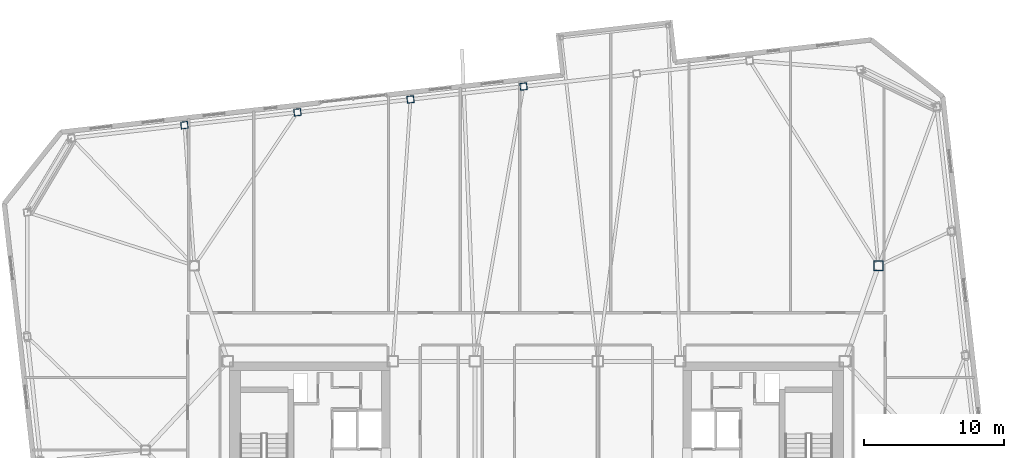
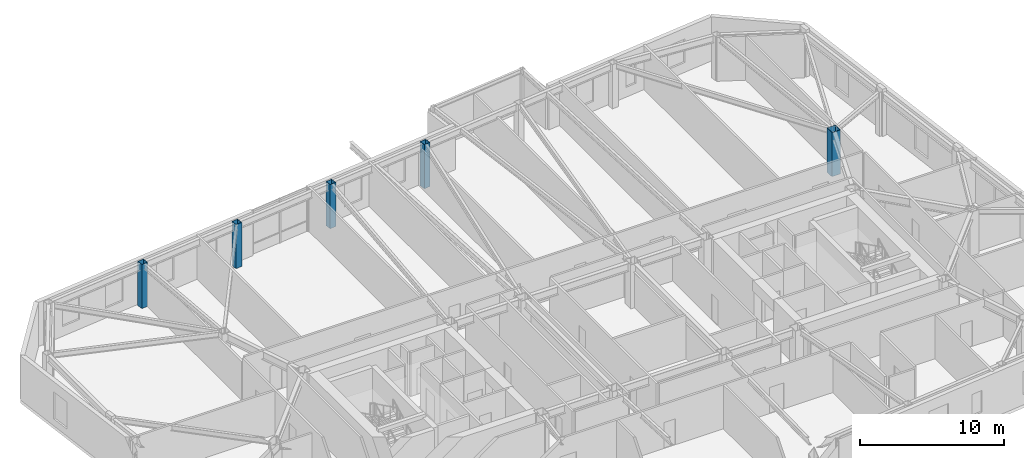
# One storey, part 2 of 21: 5 columns.
"""IFC4 building model written with IfcOpenShell, lengths in metres."""

from ifc_helpers import new_model, si_unit, direction, frame, origin, origin_2d, place, context, subcontext, project, spatial, hollow_rectangle, extrude, material, material_profile, profile_set, type_object, element, save


model = new_model("IFC4")

# Units and contexts
model_context = context("Model", 3, precision=1e-05, world=origin(), true_north=direction((0.0, 1.0)))
body_context = subcontext(model_context, "Body", "Model", "MODEL_VIEW")
ifc_project = project(units=[si_unit("LENGTHUNIT", "METRE"), si_unit("AREAUNIT", "SQUARE_METRE"), si_unit("VOLUMEUNIT", "CUBIC_METRE"), si_unit("PLANEANGLEUNIT", "RADIAN"), si_unit("MASSUNIT", "GRAM", prefix="KILO")], contexts=[model_context])

# Site, building, storey
site_placement = place(None, origin())
site = spatial("IfcSite", under=ifc_project, at=site_placement, CompositionType="ELEMENT")
building_placement = place(site_placement, origin())
building = spatial("IfcBuilding", under=site, at=building_placement, Name="Tavrogorsk Clinical Tower", CompositionType="ELEMENT")
storey_placement = place(building_placement, frame((0.0, 0.0, 247.0)))
storey = spatial("IfcBuildingStorey", under=building, at=storey_placement, Name="L57", CompositionType="ELEMENT", Elevation=247.0)

# Columns
ifc_material_1 = material(Name="Structural steel S440", Category="steel")
ifc_material_profile_1 = material_profile(ifc_material_1, hollow_rectangle(XDim=0.699951171875, YDim=0.699951171875, WallThickness=0.031982421875, at=origin_2d()), Name="BOX-700x700x32")
ifc_profile_set_1 = profile_set([ifc_material_profile_1], Name="Structural steel S440")
column_type_1 = type_object("IfcColumnType", Name="MegaCol_BOX700", PredefinedType="COLUMN", material=ifc_profile_set_1)
column_placement = place(storey_placement, frame((24.5, 13.199951171875, 0.0), z_axis=(0.0, 0.0, 1.0), x_axis=(1.0, 0.0, 0.0)))
element("IfcColumn", 1, at=column_placement, inside=storey, type_object=column_type_1, Name="L57 Spine Pilotis Column MC-P4", PredefinedType="COLUMN", context=body_context, shape_type="SweptSolid", body=[
    extrude(hollow_rectangle(XDim=0.699951171875, YDim=0.699951171875, WallThickness=0.031982421875, at=origin_2d()), origin(), (0.0, 0.0, 1.0), 3.739990234375),
])
ifc_material_2 = material(Name="Structural steel S440", Category="steel")
ifc_material_profile_2 = material_profile(ifc_material_2, hollow_rectangle(XDim=0.5, YDim=0.5, WallThickness=0.02490234375, at=origin_2d()), Name="BOX-500x500x25")
ifc_profile_set_2 = profile_set([ifc_material_profile_2], Name="Structural steel S440")
column_type_2 = type_object("IfcColumnType", Name="PerimCol_B4_BOX500", PredefinedType="COLUMN", material=ifc_profile_set_2)
for number, where, z_axis, x_axis, name in (
    (2, (-0.923828125, 26.03515625, 0.0), (0.0, 0.0, 1.0), (0.993571855677, 0.113203213768, 0.0), "L57 Perimeter Column N4"),
    (3, (-9.02001953125, 25.11279296875, 0.0), (0.0, 0.0, 1.0), (0.993571855677, 0.113203213768, 0.0), "L57 Perimeter Column N5"),
    (4, (-17.1162109375, 24.190185546875, 0.0), (0.0, 0.0, 1.0), (0.993571855677, 0.113203213768, 0.0), "L57 Perimeter Column N6"),
    (5, (-25.21240234375, 23.267822265625, 0.0), (0.0, 0.0, 1.0), (0.993571855677, 0.113203213768, 0.0), "L57 Perimeter Column N7"),
):
    element("IfcColumn", number, at=place(storey_placement, frame(where, z_axis=z_axis, x_axis=x_axis)), inside=storey, type_object=column_type_2, Name=name, PredefinedType="COLUMN", context=body_context, shape_type="SweptSolid", body=[
        extrude(hollow_rectangle(XDim=0.5, YDim=0.5, WallThickness=0.02490234375, at=origin_2d()), origin(), (0.0, 0.0, 1.0), 3.739990234375),
    ])

save(model, "model.ifc")
